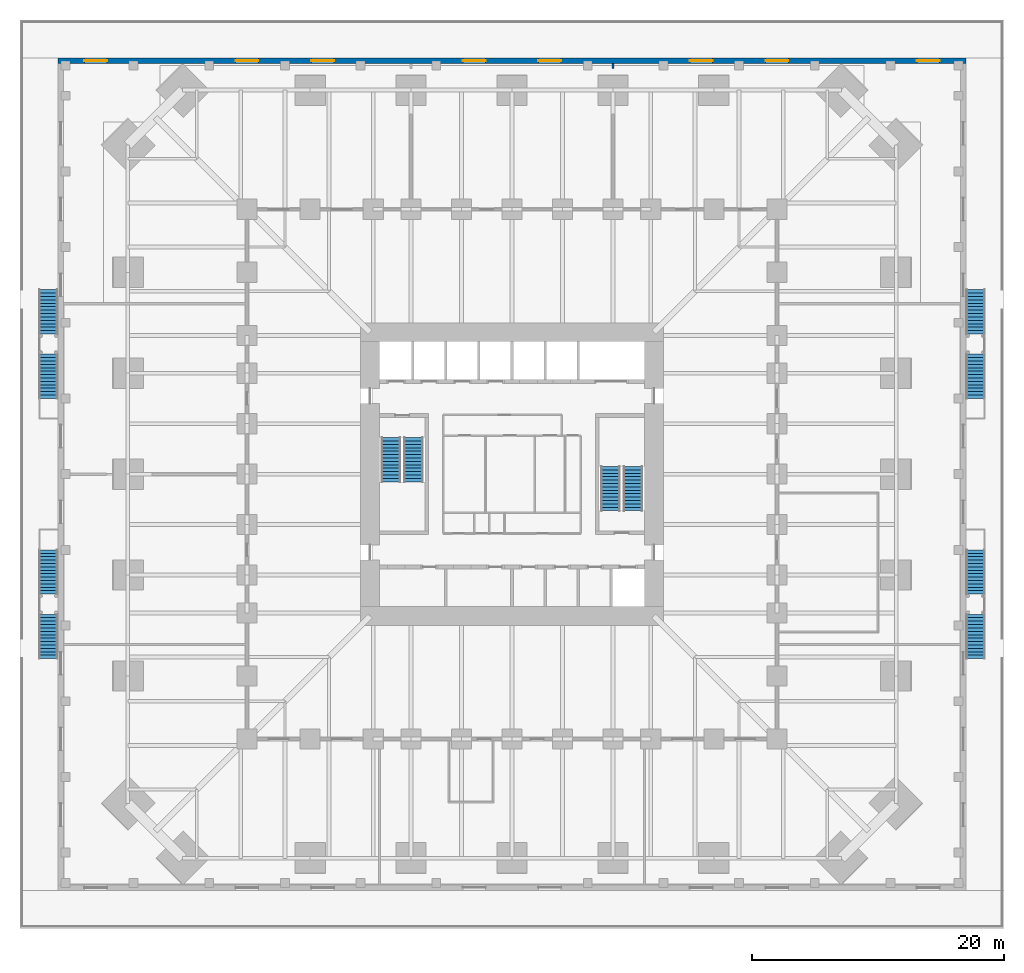
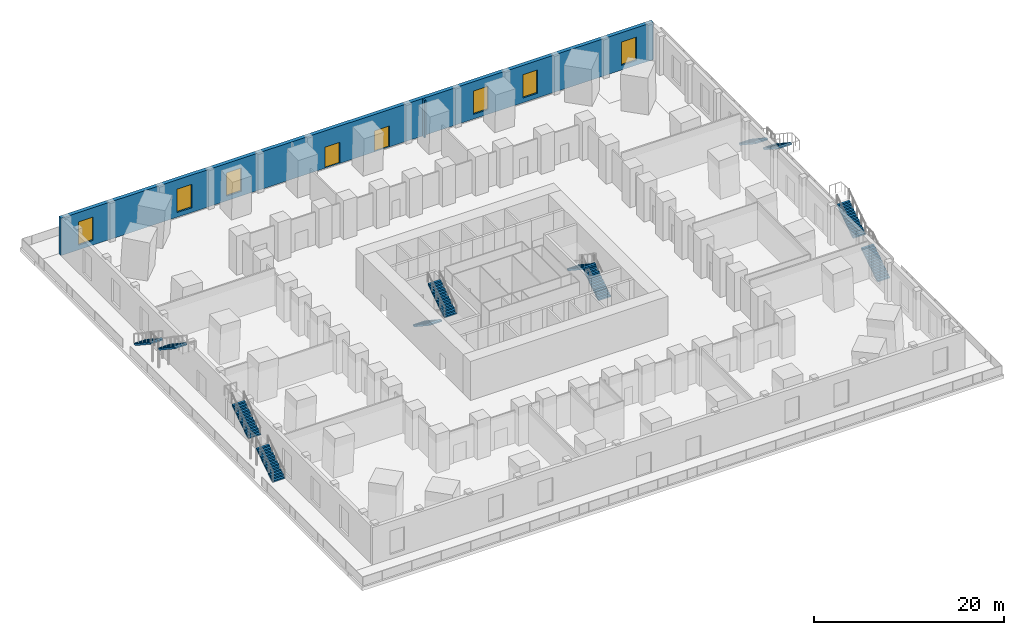
# One storey, part 15 of 20: 12 stair flights, 6 windows, 2 doors, 2 walls, 8 openings, 6 elements without a shape of their own.
"""IFC4 building model written with IfcOpenShell, lengths in metres."""

from ifc_helpers import new_model, si_unit, direction, frame, frame_2d, origin, place, context, subcontext, project, spatial, polyline, rectangle, outline, extrude, material, layer, layer_set, type_object, element, fill, aggregate, save


model = new_model("IFC4")

# Units and contexts
model_context = context("Model", 3, precision=1e-05, world=origin(), true_north=direction((0.0, 1.0)))
body_context = subcontext(model_context, "Body", "Model", "MODEL_VIEW")
ifc_project = project(units=[si_unit("LENGTHUNIT", "METRE"), si_unit("AREAUNIT", "SQUARE_METRE"), si_unit("VOLUMEUNIT", "CUBIC_METRE"), si_unit("PLANEANGLEUNIT", "RADIAN"), si_unit("MASSUNIT", "GRAM", prefix="KILO")], contexts=[model_context])

# Site, building, storey
site_placement = place(None, origin())
site = spatial("IfcSite", under=ifc_project, at=site_placement, CompositionType="ELEMENT")
building_placement = place(site_placement, origin())
building = spatial("IfcBuilding", under=site, at=building_placement, Name="Peilmerk Tower", CompositionType="ELEMENT")
storey_placement = place(building_placement, frame((0.0, 0.0, 11.0)))
storey = spatial("IfcBuildingStorey", under=building, at=storey_placement, Name="L02", CompositionType="ELEMENT", Elevation=11.0)

# Wall, openings, doors, windows
ifc_material_1 = material(Name="Precast concrete C45/55, board-marked finish", Category="concrete")
ifc_layer_1 = layer(ifc_material_1, 0.449951171875)
ifc_layer_set_1 = layer_set([ifc_layer_1], Name="Precast concrete C45/55, board-marked finish")
wall_type_1 = type_object("IfcWallType", Name="EW1 450 precast concrete facade wall, board-marked", PredefinedType="SOLIDWALL", material=ifc_layer_set_1)
wall_1_placement = place(storey_placement, frame((-36.0, 32.77490234375, 0.0), z_axis=(0.0, 0.0, 1.0), x_axis=(1.0, 0.0, 0.0)))
wall_1 = element("IfcWall", 1, at=wall_1_placement, inside=storey, type_object=wall_type_1, Name="Facade wall N L02", PredefinedType="SOLIDWALL", context=body_context, shape_type="SweptSolid", body=[
    extrude(rectangle(XDim=72.0, YDim=0.449951171875, at=frame_2d((36.0, 0.0))), origin(), (0.0, 0.0, 1.0), 4.800048828125),
])
opening_1_placement = place(wall_1_placement, frame((2.10009765625, 0.0, 0.60009765625)))
opening_1 = element("IfcOpeningElement", 2, at=opening_1_placement, cuts=wall_1, Name="Opening W7", PredefinedType="OPENING", context=body_context, shape_type="SweptSolid", body=[
    extrude(rectangle(XDim=1.800048828125, YDim=3.0, at=frame_2d((0.89990234375, 1.5))), frame((0.0, 0.23486328125, 0.0), z_axis=(0.0, -1.0, 0.0), x_axis=(1.0, 0.0, 0.0)), (0.0, 0.0, 1.0), 0.469970703125),
])
opening_2_placement = place(wall_1_placement, frame((14.10009765625, 0.0, 0.60009765625)))
opening_2 = element("IfcOpeningElement", 3, at=opening_2_placement, cuts=wall_1, Name="Opening W7", PredefinedType="OPENING", context=body_context, shape_type="SweptSolid", body=[
    extrude(rectangle(XDim=1.800048828125, YDim=3.0, at=frame_2d((0.89990234375, 1.5))), frame((0.0, 0.23486328125, 0.0), z_axis=(0.0, -1.0, 0.0), x_axis=(1.0, 0.0, 0.0)), (0.0, 0.0, 1.0), 0.469970703125),
])
opening_3_placement = place(wall_1_placement, frame((20.10009765625, 0.0, 0.60009765625)))
opening_3 = element("IfcOpeningElement", 4, at=opening_3_placement, cuts=wall_1, Name="Opening W7", PredefinedType="OPENING", context=body_context, shape_type="SweptSolid", body=[
    extrude(rectangle(XDim=1.800048828125, YDim=3.0, at=frame_2d((0.89990234375, 1.5))), frame((0.0, 0.23486328125, 0.0), z_axis=(0.0, -1.0, 0.0), x_axis=(1.0, 0.0, 0.0)), (0.0, 0.0, 1.0), 0.469970703125),
])
opening_4_placement = place(wall_1_placement, frame((50.10009765625, 0.0, 0.60009765625)))
opening_4 = element("IfcOpeningElement", 5, at=opening_4_placement, cuts=wall_1, Name="Opening W7", PredefinedType="OPENING", context=body_context, shape_type="SweptSolid", body=[
    extrude(rectangle(XDim=1.800048828125, YDim=3.0, at=frame_2d((0.89990234375, 1.5))), frame((0.0, 0.23486328125, 0.0), z_axis=(0.0, -1.0, 0.0), x_axis=(1.0, 0.0, 0.0)), (0.0, 0.0, 1.0), 0.469970703125),
])
opening_5_placement = place(wall_1_placement, frame((56.10009765625, 0.0, 0.60009765625)))
opening_5 = element("IfcOpeningElement", 6, at=opening_5_placement, cuts=wall_1, Name="Opening W7", PredefinedType="OPENING", context=body_context, shape_type="SweptSolid", body=[
    extrude(rectangle(XDim=1.800048828125, YDim=3.0, at=frame_2d((0.89990234375, 1.5))), frame((0.0, 0.23486328125, 0.0), z_axis=(0.0, -1.0, 0.0), x_axis=(1.0, 0.0, 0.0)), (0.0, 0.0, 1.0), 0.469970703125),
])
opening_6_placement = place(wall_1_placement, frame((68.10009765625, 0.0, 0.60009765625)))
opening_6 = element("IfcOpeningElement", 7, at=opening_6_placement, cuts=wall_1, Name="Opening W7", PredefinedType="OPENING", context=body_context, shape_type="SweptSolid", body=[
    extrude(rectangle(XDim=1.800048828125, YDim=3.0, at=frame_2d((0.89990234375, 1.5))), frame((0.0, 0.23486328125, 0.0), z_axis=(0.0, -1.0, 0.0), x_axis=(1.0, 0.0, 0.0)), (0.0, 0.0, 1.0), 0.469970703125),
])
opening_7_placement = place(wall_1_placement, frame((32.10009765625, 0.0, 0.0)))
opening_7 = element("IfcOpeningElement", 8, at=opening_7_placement, cuts=wall_1, Name="Opening ED4", PredefinedType="OPENING", context=body_context, shape_type="SweptSolid", body=[
    extrude(rectangle(XDim=1.800048828125, YDim=2.699951171875, at=frame_2d((0.89990234375, 1.35009765625))), frame((0.0, 0.23486328125, 0.0), z_axis=(0.0, -1.0, 0.0), x_axis=(1.0, 0.0, 0.0)), (0.0, 0.0, 1.0), 0.469970703125),
])
opening_8_placement = place(wall_1_placement, frame((38.10009765625, 0.0, 0.0)))
opening_8 = element("IfcOpeningElement", 9, at=opening_8_placement, cuts=wall_1, Name="Opening ED4", PredefinedType="OPENING", context=body_context, shape_type="SweptSolid", body=[
    extrude(rectangle(XDim=1.800048828125, YDim=2.699951171875, at=frame_2d((0.89990234375, 1.35009765625))), frame((0.0, 0.23486328125, 0.0), z_axis=(0.0, -1.0, 0.0), x_axis=(1.0, 0.0, 0.0)), (0.0, 0.0, 1.0), 0.469970703125),
])
ifc_material_2 = material(Name="Aluminium frame, clear glazing", Category="aluminium")
door_type = type_object("IfcDoorType", Name="ED4 1800x2700 terrace door pair, glazed", OperationType="DOUBLE_DOOR_DOUBLE_SWING", PredefinedType="DOOR", material=ifc_material_2)
door_1_placement = place(opening_7_placement, origin())
door_1 = element("IfcDoor", 10, at=door_1_placement, inside=storey, type_object=door_type, Name="Terrace door pair, glazed L02", OperationType="DOUBLE_DOOR_DOUBLE_SWING", OverallHeight=2.699951171875, OverallWidth=1.800048828125, PredefinedType="DOOR", context=body_context, shape_type="SweptSolid", body=[
    extrude(rectangle(XDim=1.800048828125, YDim=2.699951171875, at=frame_2d((0.89990234375, 1.35009765625))), frame((0.0, 0.02490234375, 0.0), z_axis=(0.0, -1.0, 0.0), x_axis=(1.0, 0.0, 0.0)), (0.0, 0.0, 1.0), 0.050048828125),
])
fill(opening_7, door_1)
door_2_placement = place(opening_8_placement, origin())
door_2 = element("IfcDoor", 11, at=door_2_placement, inside=storey, type_object=door_type, Name="Terrace door pair, glazed L02", OperationType="DOUBLE_DOOR_DOUBLE_SWING", OverallHeight=2.699951171875, OverallWidth=1.800048828125, PredefinedType="DOOR", context=body_context, shape_type="SweptSolid", body=[
    extrude(rectangle(XDim=1.800048828125, YDim=2.699951171875, at=frame_2d((0.89990234375, 1.35009765625))), frame((0.0, 0.02490234375, 0.0), z_axis=(0.0, -1.0, 0.0), x_axis=(1.0, 0.0, 0.0)), (0.0, 0.0, 1.0), 0.050048828125),
])
fill(opening_8, door_2)
ifc_material_3 = material(Name="Aluminium frame, clear double glazing", Category="aluminium")
window_type = type_object("IfcWindowType", Name="W7 1800x3000 podium window", PartitioningType="SINGLE_PANEL", PredefinedType="WINDOW", material=ifc_material_3)
window_1_placement = place(opening_1_placement, origin())
window_1 = element("IfcWindow", 12, at=window_1_placement, inside=storey, type_object=window_type, Name="Window W7 L02", OverallHeight=3.0, OverallWidth=1.800048828125, PartitioningType="SINGLE_PANEL", PredefinedType="WINDOW", context=body_context, shape_type="SweptSolid", body=[
    extrude(rectangle(XDim=1.800048828125, YDim=3.0, at=frame_2d((0.89990234375, 1.5))), frame((0.0, 0.030029296875, 0.0), z_axis=(0.0, -1.0, 0.0), x_axis=(1.0, 0.0, 0.0)), (0.0, 0.0, 1.0), 0.06005859375),
])
fill(opening_1, window_1)
window_2_placement = place(opening_2_placement, origin())
window_2 = element("IfcWindow", 13, at=window_2_placement, inside=storey, type_object=window_type, Name="Window W7 L02", OverallHeight=3.0, OverallWidth=1.800048828125, PartitioningType="SINGLE_PANEL", PredefinedType="WINDOW", context=body_context, shape_type="SweptSolid", body=[
    extrude(rectangle(XDim=1.800048828125, YDim=3.0, at=frame_2d((0.89990234375, 1.5))), frame((0.0, 0.030029296875, 0.0), z_axis=(0.0, -1.0, 0.0), x_axis=(1.0, 0.0, 0.0)), (0.0, 0.0, 1.0), 0.06005859375),
])
fill(opening_2, window_2)
window_3_placement = place(opening_3_placement, origin())
window_3 = element("IfcWindow", 14, at=window_3_placement, inside=storey, type_object=window_type, Name="Window W7 L02", OverallHeight=3.0, OverallWidth=1.800048828125, PartitioningType="SINGLE_PANEL", PredefinedType="WINDOW", context=body_context, shape_type="SweptSolid", body=[
    extrude(rectangle(XDim=1.800048828125, YDim=3.0, at=frame_2d((0.89990234375, 1.5))), frame((0.0, 0.030029296875, 0.0), z_axis=(0.0, -1.0, 0.0), x_axis=(1.0, 0.0, 0.0)), (0.0, 0.0, 1.0), 0.06005859375),
])
fill(opening_3, window_3)
window_4_placement = place(opening_4_placement, origin())
window_4 = element("IfcWindow", 15, at=window_4_placement, inside=storey, type_object=window_type, Name="Window W7 L02", OverallHeight=3.0, OverallWidth=1.800048828125, PartitioningType="SINGLE_PANEL", PredefinedType="WINDOW", context=body_context, shape_type="SweptSolid", body=[
    extrude(rectangle(XDim=1.800048828125, YDim=3.0, at=frame_2d((0.89990234375, 1.5))), frame((0.0, 0.030029296875, 0.0), z_axis=(0.0, -1.0, 0.0), x_axis=(1.0, 0.0, 0.0)), (0.0, 0.0, 1.0), 0.06005859375),
])
fill(opening_4, window_4)
window_5_placement = place(opening_5_placement, origin())
window_5 = element("IfcWindow", 16, at=window_5_placement, inside=storey, type_object=window_type, Name="Window W7 L02", OverallHeight=3.0, OverallWidth=1.800048828125, PartitioningType="SINGLE_PANEL", PredefinedType="WINDOW", context=body_context, shape_type="SweptSolid", body=[
    extrude(rectangle(XDim=1.800048828125, YDim=3.0, at=frame_2d((0.89990234375, 1.5))), frame((0.0, 0.030029296875, 0.0), z_axis=(0.0, -1.0, 0.0), x_axis=(1.0, 0.0, 0.0)), (0.0, 0.0, 1.0), 0.06005859375),
])
fill(opening_5, window_5)
window_6_placement = place(opening_6_placement, origin())
window_6 = element("IfcWindow", 17, at=window_6_placement, inside=storey, type_object=window_type, Name="Window W7 L02", OverallHeight=3.0, OverallWidth=1.800048828125, PartitioningType="SINGLE_PANEL", PredefinedType="WINDOW", context=body_context, shape_type="SweptSolid", body=[
    extrude(rectangle(XDim=1.800048828125, YDim=3.0, at=frame_2d((0.89990234375, 1.5))), frame((0.0, 0.030029296875, 0.0), z_axis=(0.0, -1.0, 0.0), x_axis=(1.0, 0.0, 0.0)), (0.0, 0.0, 1.0), 0.06005859375),
])
fill(opening_6, window_6)

# Wall
ifc_material_4 = material(Name="Calcium silicate block", Category="masonry")
ifc_layer_2 = layer(ifc_material_4, 0.175048828125)
ifc_layer_set_2 = layer_set([ifc_layer_2], Name="Calcium silicate block")
wall_type_2 = type_object("IfcWallType", Name="IW8 175 tenant separating wall, EI 60", PredefinedType="PARTITIONING", material=ifc_layer_set_2)
wall_2_placement = place(storey_placement, frame((8.0, 32.150390625, 0.0), z_axis=(0.0, 0.0, 1.0), x_axis=(0.0, 1.0, 0.0)))
element("IfcWall", 18, at=wall_2_placement, inside=storey, type_object=wall_type_2, Name="Tenant separating wall N2b L02", PredefinedType="PARTITIONING", context=body_context, shape_type="SweptSolid", body=[
    extrude(rectangle(XDim=0.399658203125, YDim=0.175048828125, at=frame_2d((0.19970703125, 0.0))), origin(), (0.0, 0.0, 1.0), 4.800048828125),
])

# Stair, stair flights
ifc_material_5 = material(Name="Precast concrete C45/55", Category="concrete")
stair_type_1 = type_object("IfcStairType", Name="ST1 28 risers of 178.6", PredefinedType="HALF_TURN_STAIR", material=ifc_material_5)
stair_1_placement = place(storey_placement, origin())
stair_1 = element("IfcStair", 19, at=stair_1_placement, inside=storey, type_object=stair_type_1, Name="Stair 1 L02 to L03", PredefinedType="HALF_TURN_STAIR")
stair_flight_type = type_object("IfcStairFlightType", Name="SF14 flight, 14 risers of 178.6", PredefinedType="STRAIGHT", material=ifc_material_5)
stair_flight_1_placement = place(storey_placement, frame((-9.60009765625, 2.89990234375, 0.0), z_axis=(0.0, 0.0, 1.0), x_axis=(0.0, -1.0, 0.0)))
stair_flight_1 = element("IfcStairFlight", 20, at=stair_flight_1_placement, type_object=stair_flight_type, Name="ST1 flight 1", NumberOfRisers=14, NumberOfTreads=13, PredefinedType="STRAIGHT", RiserHeight=0.178571429, TreadLength=0.27, context=body_context, shape_type="SweptSolid", body=[
    extrude(outline(polyline([(0.0, 0.0), (0.0, 0.178466796875), (0.27001953125, 0.178466796875), (0.27001953125, 0.357177734375), (0.5400390625, 0.357177734375), (0.5400390625, 0.53564453125), (0.81005859375, 0.53564453125), (0.81005859375, 0.71435546875), (1.080078125, 0.71435546875), (1.080078125, 0.892822265625), (1.35009765625, 0.892822265625), (1.35009765625, 1.071533203125), (1.6201171875, 1.071533203125), (1.6201171875, 1.25), (1.889892578125, 1.25), (1.889892578125, 1.428466796875), (2.159912109375, 1.428466796875), (2.159912109375, 1.607177734375), (2.429931640625, 1.607177734375), (2.429931640625, 1.78564453125), (2.699951171875, 1.78564453125), (2.699951171875, 1.96435546875), (2.969970703125, 1.96435546875), (2.969970703125, 2.142822265625), (3.239990234375, 2.142822265625), (3.239990234375, 2.321533203125), (3.510009765625, 2.321533203125), (3.510009765625, 2.5), (3.510009765625, 2.1416015625), (0.271728515625, 0.0), (0.0, 0.0)])), frame((0.0, 0.75, 0.0), z_axis=(0.0, -1.0, 0.0), x_axis=(1.0, 0.0, 0.0)), (0.0, 0.0, 1.0), 1.5),
])
stair_flight_2_placement = place(storey_placement, frame((-7.800048828125, -0.610107421875, 2.5), z_axis=(0.0, 0.0, 1.0), x_axis=(0.0, 1.0, 0.0)))
stair_flight_2 = element("IfcStairFlight", 21, at=stair_flight_2_placement, type_object=stair_flight_type, Name="ST1 flight 2", NumberOfRisers=14, NumberOfTreads=13, PredefinedType="STRAIGHT", RiserHeight=0.178571429, TreadLength=0.27, context=body_context, shape_type="SweptSolid", body=[
    extrude(outline(polyline([(0.0, 0.0), (0.0, 0.178466796875), (0.27001953125, 0.178466796875), (0.27001953125, 0.357177734375), (0.5400390625, 0.357177734375), (0.5400390625, 0.53564453125), (0.81005859375, 0.53564453125), (0.81005859375, 0.71435546875), (1.080078125, 0.71435546875), (1.080078125, 0.892822265625), (1.35009765625, 0.892822265625), (1.35009765625, 1.071533203125), (1.6201171875, 1.071533203125), (1.6201171875, 1.25), (1.889892578125, 1.25), (1.889892578125, 1.428466796875), (2.159912109375, 1.428466796875), (2.159912109375, 1.607177734375), (2.429931640625, 1.607177734375), (2.429931640625, 1.78564453125), (2.699951171875, 1.78564453125), (2.699951171875, 1.96435546875), (2.969970703125, 1.96435546875), (2.969970703125, 2.142822265625), (3.239990234375, 2.142822265625), (3.239990234375, 2.321533203125), (3.510009765625, 2.321533203125), (3.510009765625, 2.5), (3.510009765625, 2.1416015625), (0.271728515625, 0.0), (0.0, 0.0)])), frame((0.0, 0.75, 0.0), z_axis=(0.0, -1.0, 0.0), x_axis=(1.0, 0.0, 0.0)), (0.0, 0.0, 1.0), 1.5),
])
aggregate(stair_1, [stair_flight_1, stair_flight_2])

stair_type_2 = type_object("IfcStairType", Name="ST2 28 risers of 178.6", PredefinedType="HALF_TURN_STAIR", material=ifc_material_5)
stair_2_placement = place(storey_placement, origin())
stair_2 = element("IfcStair", 22, at=stair_2_placement, inside=storey, type_object=stair_type_2, Name="Stair 2 L02 to L03", PredefinedType="HALF_TURN_STAIR")
stair_flight_3_placement = place(storey_placement, frame((9.60009765625, -2.89990234375, 0.0), z_axis=(0.0, 0.0, 1.0), x_axis=(0.0, 1.0, 0.0)))
stair_flight_3 = element("IfcStairFlight", 23, at=stair_flight_3_placement, type_object=stair_flight_type, Name="ST2 flight 1", NumberOfRisers=14, NumberOfTreads=13, PredefinedType="STRAIGHT", RiserHeight=0.178571429, TreadLength=0.27, context=body_context, shape_type="SweptSolid", body=[
    extrude(outline(polyline([(0.0, 0.0), (0.0, 0.178466796875), (0.27001953125, 0.178466796875), (0.27001953125, 0.357177734375), (0.5400390625, 0.357177734375), (0.5400390625, 0.53564453125), (0.81005859375, 0.53564453125), (0.81005859375, 0.71435546875), (1.080078125, 0.71435546875), (1.080078125, 0.892822265625), (1.35009765625, 0.892822265625), (1.35009765625, 1.071533203125), (1.6201171875, 1.071533203125), (1.6201171875, 1.25), (1.889892578125, 1.25), (1.889892578125, 1.428466796875), (2.159912109375, 1.428466796875), (2.159912109375, 1.607177734375), (2.429931640625, 1.607177734375), (2.429931640625, 1.78564453125), (2.699951171875, 1.78564453125), (2.699951171875, 1.96435546875), (2.969970703125, 1.96435546875), (2.969970703125, 2.142822265625), (3.239990234375, 2.142822265625), (3.239990234375, 2.321533203125), (3.510009765625, 2.321533203125), (3.510009765625, 2.5), (3.510009765625, 2.1416015625), (0.271728515625, 0.0), (0.0, 0.0)])), frame((0.0, 0.75, 0.0), z_axis=(0.0, -1.0, 0.0), x_axis=(1.0, 0.0, 0.0)), (0.0, 0.0, 1.0), 1.5),
])
stair_flight_4_placement = place(storey_placement, frame((7.800048828125, 0.610107421875, 2.5), z_axis=(0.0, 0.0, 1.0), x_axis=(0.0, -1.0, 0.0)))
stair_flight_4 = element("IfcStairFlight", 24, at=stair_flight_4_placement, type_object=stair_flight_type, Name="ST2 flight 2", NumberOfRisers=14, NumberOfTreads=13, PredefinedType="STRAIGHT", RiserHeight=0.178571429, TreadLength=0.27, context=body_context, shape_type="SweptSolid", body=[
    extrude(outline(polyline([(0.0, 0.0), (0.0, 0.178466796875), (0.27001953125, 0.178466796875), (0.27001953125, 0.357177734375), (0.5400390625, 0.357177734375), (0.5400390625, 0.53564453125), (0.81005859375, 0.53564453125), (0.81005859375, 0.71435546875), (1.080078125, 0.71435546875), (1.080078125, 0.892822265625), (1.35009765625, 0.892822265625), (1.35009765625, 1.071533203125), (1.6201171875, 1.071533203125), (1.6201171875, 1.25), (1.889892578125, 1.25), (1.889892578125, 1.428466796875), (2.159912109375, 1.428466796875), (2.159912109375, 1.607177734375), (2.429931640625, 1.607177734375), (2.429931640625, 1.78564453125), (2.699951171875, 1.78564453125), (2.699951171875, 1.96435546875), (2.969970703125, 1.96435546875), (2.969970703125, 2.142822265625), (3.239990234375, 2.142822265625), (3.239990234375, 2.321533203125), (3.510009765625, 2.321533203125), (3.510009765625, 2.5), (3.510009765625, 2.1416015625), (0.271728515625, 0.0), (0.0, 0.0)])), frame((0.0, 0.75, 0.0), z_axis=(0.0, -1.0, 0.0), x_axis=(1.0, 0.0, 0.0)), (0.0, 0.0, 1.0), 1.5),
])
aggregate(stair_2, [stair_flight_3, stair_flight_4])

stair_type_3 = type_object("IfcStairType", Name="ST3 28 risers of 178.6, two straight flights", PredefinedType="TWO_STRAIGHT_RUN_STAIR", material=ifc_material_5)
stair_3_placement = place(storey_placement, origin())
stair_3 = element("IfcStair", 25, at=stair_3_placement, inside=storey, type_object=stair_type_3, Name="External stair 3 L02 to L03", PredefinedType="TWO_STRAIGHT_RUN_STAIR")
stair_flight_5_placement = place(storey_placement, frame((36.75, 14.6201171875, 0.0), z_axis=(0.0, 0.0, 1.0), x_axis=(0.0, -1.0, 0.0)))
stair_flight_5 = element("IfcStairFlight", 26, at=stair_flight_5_placement, type_object=stair_flight_type, Name="ST3 flight 1", NumberOfRisers=14, NumberOfTreads=13, PredefinedType="STRAIGHT", RiserHeight=0.178571429, TreadLength=0.27, context=body_context, shape_type="SweptSolid", body=[
    extrude(outline(polyline([(0.0, 0.0), (0.0, 0.178466796875), (0.27001953125, 0.178466796875), (0.27001953125, 0.357177734375), (0.5400390625, 0.357177734375), (0.5400390625, 0.53564453125), (0.81005859375, 0.53564453125), (0.81005859375, 0.71435546875), (1.080078125, 0.71435546875), (1.080078125, 0.892822265625), (1.35009765625, 0.892822265625), (1.35009765625, 1.071533203125), (1.6201171875, 1.071533203125), (1.6201171875, 1.25), (1.889892578125, 1.25), (1.889892578125, 1.428466796875), (2.159912109375, 1.428466796875), (2.159912109375, 1.607177734375), (2.429931640625, 1.607177734375), (2.429931640625, 1.78564453125), (2.699951171875, 1.78564453125), (2.699951171875, 1.96435546875), (2.969970703125, 1.96435546875), (2.969970703125, 2.142822265625), (3.239990234375, 2.142822265625), (3.239990234375, 2.321533203125), (3.510009765625, 2.321533203125), (3.510009765625, 2.5), (3.510009765625, 2.1416015625), (0.271728515625, 0.0), (0.0, 0.0)])), frame((0.0, 0.75, 0.0), z_axis=(0.0, -1.0, 0.0), x_axis=(1.0, 0.0, 0.0)), (0.0, 0.0, 1.0), 1.5),
])
stair_flight_6_placement = place(storey_placement, frame((36.75, 9.510009765625, 2.5), z_axis=(0.0, 0.0, 1.0), x_axis=(0.0, -1.0, 0.0)))
stair_flight_6 = element("IfcStairFlight", 27, at=stair_flight_6_placement, type_object=stair_flight_type, Name="ST3 flight 2", NumberOfRisers=14, NumberOfTreads=13, PredefinedType="STRAIGHT", RiserHeight=0.178571429, TreadLength=0.27, context=body_context, shape_type="SweptSolid", body=[
    extrude(outline(polyline([(0.0, 0.0), (0.0, 0.178466796875), (0.27001953125, 0.178466796875), (0.27001953125, 0.357177734375), (0.5400390625, 0.357177734375), (0.5400390625, 0.53564453125), (0.81005859375, 0.53564453125), (0.81005859375, 0.71435546875), (1.080078125, 0.71435546875), (1.080078125, 0.892822265625), (1.35009765625, 0.892822265625), (1.35009765625, 1.071533203125), (1.6201171875, 1.071533203125), (1.6201171875, 1.25), (1.889892578125, 1.25), (1.889892578125, 1.428466796875), (2.159912109375, 1.428466796875), (2.159912109375, 1.607177734375), (2.429931640625, 1.607177734375), (2.429931640625, 1.78564453125), (2.699951171875, 1.78564453125), (2.699951171875, 1.96435546875), (2.969970703125, 1.96435546875), (2.969970703125, 2.142822265625), (3.239990234375, 2.142822265625), (3.239990234375, 2.321533203125), (3.510009765625, 2.321533203125), (3.510009765625, 2.5), (3.510009765625, 2.1416015625), (0.271728515625, 0.0), (0.0, 0.0)])), frame((0.0, 0.75, 0.0), z_axis=(0.0, -1.0, 0.0), x_axis=(1.0, 0.0, 0.0)), (0.0, 0.0, 1.0), 1.5),
])
aggregate(stair_3, [stair_flight_5, stair_flight_6])

stair_type_4 = type_object("IfcStairType", Name="ST4 28 risers of 178.6, two straight flights", PredefinedType="TWO_STRAIGHT_RUN_STAIR", material=ifc_material_5)
stair_4_placement = place(storey_placement, origin())
stair_4 = element("IfcStair", 28, at=stair_4_placement, inside=storey, type_object=stair_type_4, Name="External stair 4 L02 to L03", PredefinedType="TWO_STRAIGHT_RUN_STAIR")
stair_flight_7_placement = place(storey_placement, frame((36.75, -14.6201171875, 0.0), z_axis=(0.0, 0.0, 1.0), x_axis=(0.0, 1.0, 0.0)))
stair_flight_7 = element("IfcStairFlight", 29, at=stair_flight_7_placement, type_object=stair_flight_type, Name="ST4 flight 1", NumberOfRisers=14, NumberOfTreads=13, PredefinedType="STRAIGHT", RiserHeight=0.178571429, TreadLength=0.27, context=body_context, shape_type="SweptSolid", body=[
    extrude(outline(polyline([(0.0, 0.0), (0.0, 0.178466796875), (0.27001953125, 0.178466796875), (0.27001953125, 0.357177734375), (0.5400390625, 0.357177734375), (0.5400390625, 0.53564453125), (0.81005859375, 0.53564453125), (0.81005859375, 0.71435546875), (1.080078125, 0.71435546875), (1.080078125, 0.892822265625), (1.35009765625, 0.892822265625), (1.35009765625, 1.071533203125), (1.6201171875, 1.071533203125), (1.6201171875, 1.25), (1.889892578125, 1.25), (1.889892578125, 1.428466796875), (2.159912109375, 1.428466796875), (2.159912109375, 1.607177734375), (2.429931640625, 1.607177734375), (2.429931640625, 1.78564453125), (2.699951171875, 1.78564453125), (2.699951171875, 1.96435546875), (2.969970703125, 1.96435546875), (2.969970703125, 2.142822265625), (3.239990234375, 2.142822265625), (3.239990234375, 2.321533203125), (3.510009765625, 2.321533203125), (3.510009765625, 2.5), (3.510009765625, 2.1416015625), (0.271728515625, 0.0), (0.0, 0.0)])), frame((0.0, 0.75, 0.0), z_axis=(0.0, -1.0, 0.0), x_axis=(1.0, 0.0, 0.0)), (0.0, 0.0, 1.0), 1.5),
])
stair_flight_8_placement = place(storey_placement, frame((36.75, -9.510009765625, 2.5), z_axis=(0.0, 0.0, 1.0), x_axis=(0.0, 1.0, 0.0)))
stair_flight_8 = element("IfcStairFlight", 30, at=stair_flight_8_placement, type_object=stair_flight_type, Name="ST4 flight 2", NumberOfRisers=14, NumberOfTreads=13, PredefinedType="STRAIGHT", RiserHeight=0.178571429, TreadLength=0.27, context=body_context, shape_type="SweptSolid", body=[
    extrude(outline(polyline([(0.0, 0.0), (0.0, 0.178466796875), (0.27001953125, 0.178466796875), (0.27001953125, 0.357177734375), (0.5400390625, 0.357177734375), (0.5400390625, 0.53564453125), (0.81005859375, 0.53564453125), (0.81005859375, 0.71435546875), (1.080078125, 0.71435546875), (1.080078125, 0.892822265625), (1.35009765625, 0.892822265625), (1.35009765625, 1.071533203125), (1.6201171875, 1.071533203125), (1.6201171875, 1.25), (1.889892578125, 1.25), (1.889892578125, 1.428466796875), (2.159912109375, 1.428466796875), (2.159912109375, 1.607177734375), (2.429931640625, 1.607177734375), (2.429931640625, 1.78564453125), (2.699951171875, 1.78564453125), (2.699951171875, 1.96435546875), (2.969970703125, 1.96435546875), (2.969970703125, 2.142822265625), (3.239990234375, 2.142822265625), (3.239990234375, 2.321533203125), (3.510009765625, 2.321533203125), (3.510009765625, 2.5), (3.510009765625, 2.1416015625), (0.271728515625, 0.0), (0.0, 0.0)])), frame((0.0, 0.75, 0.0), z_axis=(0.0, -1.0, 0.0), x_axis=(1.0, 0.0, 0.0)), (0.0, 0.0, 1.0), 1.5),
])
aggregate(stair_4, [stair_flight_7, stair_flight_8])

stair_type_5 = type_object("IfcStairType", Name="ST5 28 risers of 178.6, two straight flights", PredefinedType="TWO_STRAIGHT_RUN_STAIR", material=ifc_material_5)
stair_5_placement = place(storey_placement, origin())
stair_5 = element("IfcStair", 31, at=stair_5_placement, inside=storey, type_object=stair_type_5, Name="External stair 5 L02 to L03", PredefinedType="TWO_STRAIGHT_RUN_STAIR")
stair_flight_9_placement = place(storey_placement, frame((-36.75, 14.6201171875, 0.0), z_axis=(0.0, 0.0, 1.0), x_axis=(0.0, -1.0, 0.0)))
stair_flight_9 = element("IfcStairFlight", 32, at=stair_flight_9_placement, type_object=stair_flight_type, Name="ST5 flight 1", NumberOfRisers=14, NumberOfTreads=13, PredefinedType="STRAIGHT", RiserHeight=0.178571429, TreadLength=0.27, context=body_context, shape_type="SweptSolid", body=[
    extrude(outline(polyline([(0.0, 0.0), (0.0, 0.178466796875), (0.27001953125, 0.178466796875), (0.27001953125, 0.357177734375), (0.5400390625, 0.357177734375), (0.5400390625, 0.53564453125), (0.81005859375, 0.53564453125), (0.81005859375, 0.71435546875), (1.080078125, 0.71435546875), (1.080078125, 0.892822265625), (1.35009765625, 0.892822265625), (1.35009765625, 1.071533203125), (1.6201171875, 1.071533203125), (1.6201171875, 1.25), (1.889892578125, 1.25), (1.889892578125, 1.428466796875), (2.159912109375, 1.428466796875), (2.159912109375, 1.607177734375), (2.429931640625, 1.607177734375), (2.429931640625, 1.78564453125), (2.699951171875, 1.78564453125), (2.699951171875, 1.96435546875), (2.969970703125, 1.96435546875), (2.969970703125, 2.142822265625), (3.239990234375, 2.142822265625), (3.239990234375, 2.321533203125), (3.510009765625, 2.321533203125), (3.510009765625, 2.5), (3.510009765625, 2.1416015625), (0.271728515625, 0.0), (0.0, 0.0)])), frame((0.0, 0.75, 0.0), z_axis=(0.0, -1.0, 0.0), x_axis=(1.0, 0.0, 0.0)), (0.0, 0.0, 1.0), 1.5),
])
stair_flight_10_placement = place(storey_placement, frame((-36.75, 9.510009765625, 2.5), z_axis=(0.0, 0.0, 1.0), x_axis=(0.0, -1.0, 0.0)))
stair_flight_10 = element("IfcStairFlight", 33, at=stair_flight_10_placement, type_object=stair_flight_type, Name="ST5 flight 2", NumberOfRisers=14, NumberOfTreads=13, PredefinedType="STRAIGHT", RiserHeight=0.178571429, TreadLength=0.27, context=body_context, shape_type="SweptSolid", body=[
    extrude(outline(polyline([(0.0, 0.0), (0.0, 0.178466796875), (0.27001953125, 0.178466796875), (0.27001953125, 0.357177734375), (0.5400390625, 0.357177734375), (0.5400390625, 0.53564453125), (0.81005859375, 0.53564453125), (0.81005859375, 0.71435546875), (1.080078125, 0.71435546875), (1.080078125, 0.892822265625), (1.35009765625, 0.892822265625), (1.35009765625, 1.071533203125), (1.6201171875, 1.071533203125), (1.6201171875, 1.25), (1.889892578125, 1.25), (1.889892578125, 1.428466796875), (2.159912109375, 1.428466796875), (2.159912109375, 1.607177734375), (2.429931640625, 1.607177734375), (2.429931640625, 1.78564453125), (2.699951171875, 1.78564453125), (2.699951171875, 1.96435546875), (2.969970703125, 1.96435546875), (2.969970703125, 2.142822265625), (3.239990234375, 2.142822265625), (3.239990234375, 2.321533203125), (3.510009765625, 2.321533203125), (3.510009765625, 2.5), (3.510009765625, 2.1416015625), (0.271728515625, 0.0), (0.0, 0.0)])), frame((0.0, 0.75, 0.0), z_axis=(0.0, -1.0, 0.0), x_axis=(1.0, 0.0, 0.0)), (0.0, 0.0, 1.0), 1.5),
])
aggregate(stair_5, [stair_flight_9, stair_flight_10])

stair_type_6 = type_object("IfcStairType", Name="ST6 28 risers of 178.6, two straight flights", PredefinedType="TWO_STRAIGHT_RUN_STAIR", material=ifc_material_5)
stair_6_placement = place(storey_placement, origin())
stair_6 = element("IfcStair", 34, at=stair_6_placement, inside=storey, type_object=stair_type_6, Name="External stair 6 L02 to L03", PredefinedType="TWO_STRAIGHT_RUN_STAIR")
stair_flight_11_placement = place(storey_placement, frame((-36.75, -14.6201171875, 0.0), z_axis=(0.0, 0.0, 1.0), x_axis=(0.0, 1.0, 0.0)))
stair_flight_11 = element("IfcStairFlight", 35, at=stair_flight_11_placement, type_object=stair_flight_type, Name="ST6 flight 1", NumberOfRisers=14, NumberOfTreads=13, PredefinedType="STRAIGHT", RiserHeight=0.178571429, TreadLength=0.27, context=body_context, shape_type="SweptSolid", body=[
    extrude(outline(polyline([(0.0, 0.0), (0.0, 0.178466796875), (0.27001953125, 0.178466796875), (0.27001953125, 0.357177734375), (0.5400390625, 0.357177734375), (0.5400390625, 0.53564453125), (0.81005859375, 0.53564453125), (0.81005859375, 0.71435546875), (1.080078125, 0.71435546875), (1.080078125, 0.892822265625), (1.35009765625, 0.892822265625), (1.35009765625, 1.071533203125), (1.6201171875, 1.071533203125), (1.6201171875, 1.25), (1.889892578125, 1.25), (1.889892578125, 1.428466796875), (2.159912109375, 1.428466796875), (2.159912109375, 1.607177734375), (2.429931640625, 1.607177734375), (2.429931640625, 1.78564453125), (2.699951171875, 1.78564453125), (2.699951171875, 1.96435546875), (2.969970703125, 1.96435546875), (2.969970703125, 2.142822265625), (3.239990234375, 2.142822265625), (3.239990234375, 2.321533203125), (3.510009765625, 2.321533203125), (3.510009765625, 2.5), (3.510009765625, 2.1416015625), (0.271728515625, 0.0), (0.0, 0.0)])), frame((0.0, 0.75, 0.0), z_axis=(0.0, -1.0, 0.0), x_axis=(1.0, 0.0, 0.0)), (0.0, 0.0, 1.0), 1.5),
])
stair_flight_12_placement = place(storey_placement, frame((-36.75, -9.510009765625, 2.5), z_axis=(0.0, 0.0, 1.0), x_axis=(0.0, 1.0, 0.0)))
stair_flight_12 = element("IfcStairFlight", 36, at=stair_flight_12_placement, type_object=stair_flight_type, Name="ST6 flight 2", NumberOfRisers=14, NumberOfTreads=13, PredefinedType="STRAIGHT", RiserHeight=0.178571429, TreadLength=0.27, context=body_context, shape_type="SweptSolid", body=[
    extrude(outline(polyline([(0.0, 0.0), (0.0, 0.178466796875), (0.27001953125, 0.178466796875), (0.27001953125, 0.357177734375), (0.5400390625, 0.357177734375), (0.5400390625, 0.53564453125), (0.81005859375, 0.53564453125), (0.81005859375, 0.71435546875), (1.080078125, 0.71435546875), (1.080078125, 0.892822265625), (1.35009765625, 0.892822265625), (1.35009765625, 1.071533203125), (1.6201171875, 1.071533203125), (1.6201171875, 1.25), (1.889892578125, 1.25), (1.889892578125, 1.428466796875), (2.159912109375, 1.428466796875), (2.159912109375, 1.607177734375), (2.429931640625, 1.607177734375), (2.429931640625, 1.78564453125), (2.699951171875, 1.78564453125), (2.699951171875, 1.96435546875), (2.969970703125, 1.96435546875), (2.969970703125, 2.142822265625), (3.239990234375, 2.142822265625), (3.239990234375, 2.321533203125), (3.510009765625, 2.321533203125), (3.510009765625, 2.5), (3.510009765625, 2.1416015625), (0.271728515625, 0.0), (0.0, 0.0)])), frame((0.0, 0.75, 0.0), z_axis=(0.0, -1.0, 0.0), x_axis=(1.0, 0.0, 0.0)), (0.0, 0.0, 1.0), 1.5),
])
aggregate(stair_6, [stair_flight_11, stair_flight_12])

save(model, "model.ifc")
